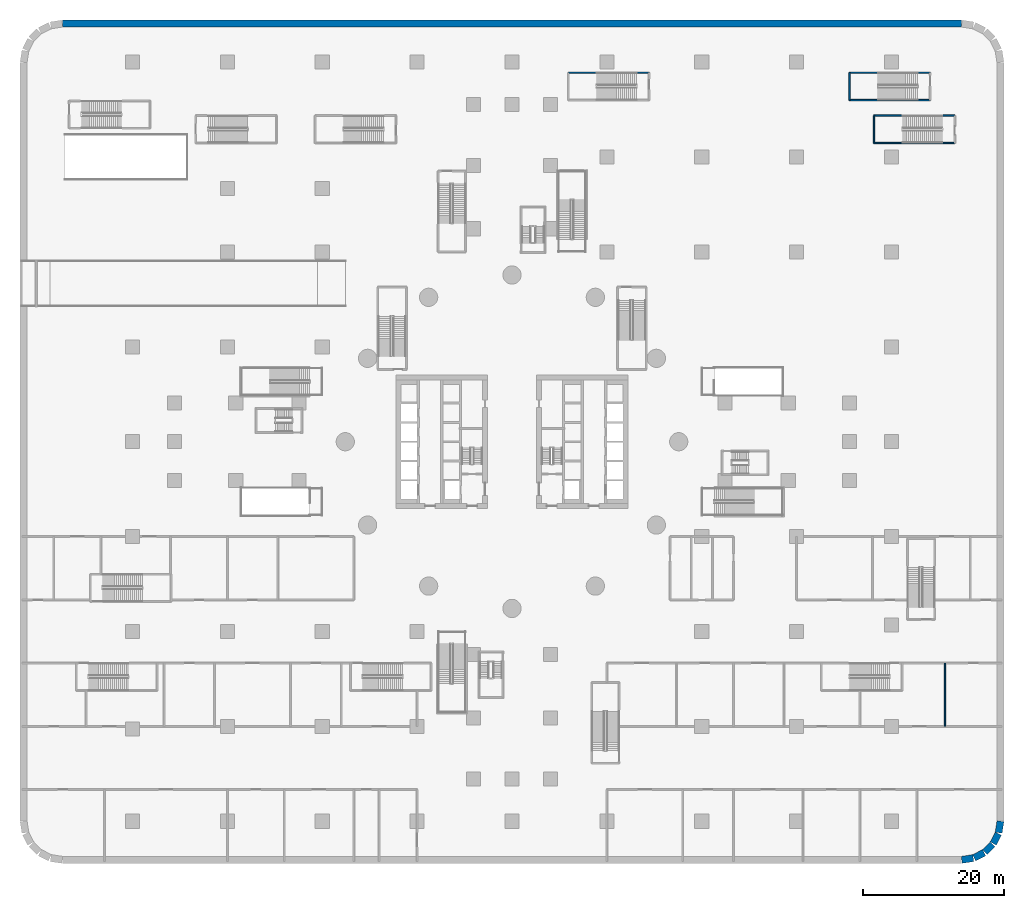
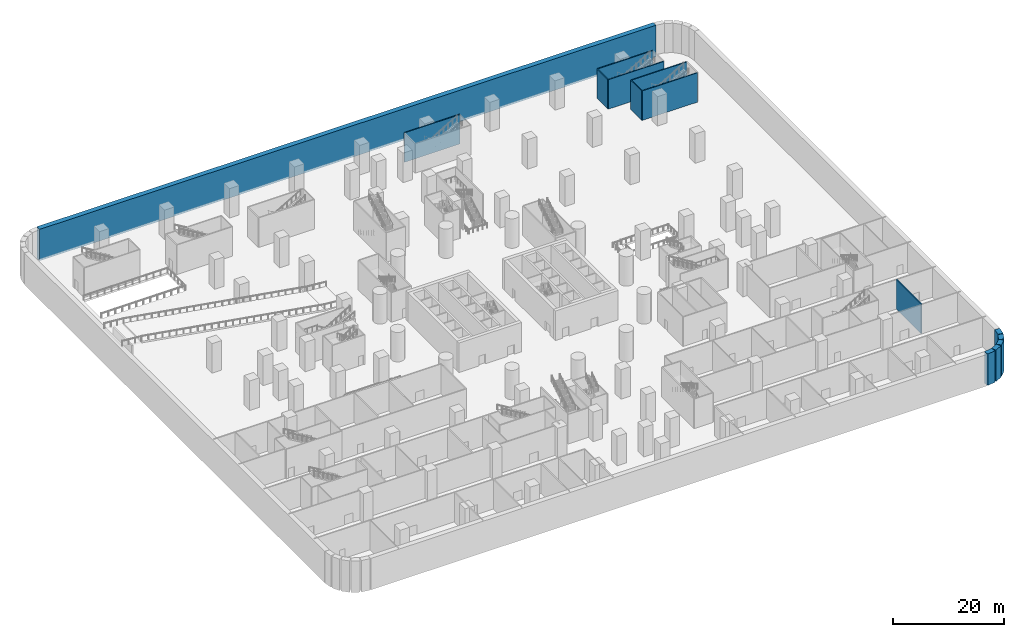
# One storey, part 12 of 37: 14 walls.
"""IFC4 building model written with IfcOpenShell, lengths in metres."""

from ifc_helpers import new_model, si_unit, direction, frame, frame_2d, origin, place, context, subcontext, project, spatial, rectangle, extrude, material, layer, layer_set, type_object, element, save


model = new_model("IFC4")

# Units and contexts
model_context = context("Model", 3, precision=1e-05, world=origin(), true_north=direction((0.0, 1.0)))
body_context = subcontext(model_context, "Body", "Model", "MODEL_VIEW")
ifc_project = project(units=[si_unit("LENGTHUNIT", "METRE"), si_unit("AREAUNIT", "SQUARE_METRE"), si_unit("VOLUMEUNIT", "CUBIC_METRE"), si_unit("PLANEANGLEUNIT", "RADIAN"), si_unit("MASSUNIT", "GRAM", prefix="KILO")], contexts=[model_context])

# Site, building, storey
site_placement = place(None, origin())
site = spatial("IfcSite", under=ifc_project, at=site_placement, CompositionType="ELEMENT")
building_placement = place(site_placement, origin())
building = spatial("IfcBuilding", under=site, at=building_placement, Name="Tamarind Cross Interchange Tower", CompositionType="ELEMENT")
storey_placement = place(building_placement, frame((0.0, 0.0, -7.0)))
storey = spatial("IfcBuildingStorey", under=building, at=storey_placement, Name="B1", CompositionType="ELEMENT", Elevation=-7.0)

# Walls
ifc_material_1 = material(Name="Concrete C40", Category="concrete")
ifc_layer_1 = layer(ifc_material_1, 1.0)
ifc_layer_set_1 = layer_set([ifc_layer_1], Name="Concrete C40")
wall_type_1 = type_object("IfcWallType", Name="Basement wall 1000 Concrete C40", PredefinedType="SOLIDWALL", material=ifc_layer_set_1)
wall_1_placement = place(storey_placement, frame((-63.931396484375, 59.5, -0.449951171875), z_axis=(0.0, 0.0, 1.0), x_axis=(1.0, 0.0, 0.0)))
element("IfcWall", 1, at=wall_1_placement, inside=storey, type_object=wall_type_1, Name="Basement wall B1-13", PredefinedType="SOLIDWALL", context=body_context, shape_type="SweptSolid", body=[
    extrude(rectangle(XDim=127.86279296875, YDim=1.0, at=frame_2d((63.931396484375, 0.0))), origin(), (0.0, 0.0, 1.0), 6.89990234375),
])
wall_2_placement = place(storey_placement, frame((69.495361328125, -53.989501953125, -0.449951171875), z_axis=(0.0, 0.0, 1.0), x_axis=(-0.156430639922, -0.987688946427, 0.0)))
element("IfcWall", 2, at=wall_2_placement, inside=storey, type_object=wall_type_1, Name="Basement wall B1-20", PredefinedType="SOLIDWALL", context=body_context, shape_type="SweptSolid", body=[
    extrude(rectangle(XDim=1.66064453125, YDim=1.0, at=frame_2d((0.830322265625, 0.0))), origin(), (0.0, 0.0, 1.0), 6.89990234375),
])
for number, where, z_axis, x_axis, name in (
    (3, (69.193603515625, -55.759033203125, -0.449951171875), (0.0, 0.0, 1.0), (-0.453995177443, -0.891004140764, 0.0), "Basement wall B1-21"),
    (4, (68.395751953125, -57.27783203125, -0.449951171875), (0.0, 0.0, 1.0), (-0.707106781187, -0.707106781187, 0.0), "Basement wall B1-22"),
    (5, (67.167724609375, -58.475830078125, -0.449951171875), (0.0, 0.0, 1.0), (-0.891004140764, -0.453995177443, 0.0), "Basement wall B1-23"),
):
    element("IfcWall", number, at=place(storey_placement, frame(where, z_axis=z_axis, x_axis=x_axis)), inside=storey, type_object=wall_type_1, Name=name, PredefinedType="SOLIDWALL", context=body_context, shape_type="SweptSolid", body=[
        extrude(rectangle(XDim=1.5810546875, YDim=1.0, at=frame_2d((0.79052734375, 0.0))), origin(), (0.0, 0.0, 1.0), 6.89990234375),
    ])
wall_3_placement = place(storey_placement, frame((65.629638671875, -59.235595703125, -0.449951171875), z_axis=(0.0, 0.0, 1.0), x_axis=(-0.987688946427, -0.156430639922, 0.0)))
element("IfcWall", 6, at=wall_3_placement, inside=storey, type_object=wall_type_1, Name="Basement wall B1-24", PredefinedType="SOLIDWALL", context=body_context, shape_type="SweptSolid", body=[
    extrude(rectangle(XDim=1.66064453125, YDim=1.0, at=frame_2d((0.830322265625, 0.0))), origin(), (0.0, 0.0, 1.0), 6.89990234375),
])
ifc_material_2 = material(Name="Masonry partition, fire-rated", Category="masonry")
ifc_layer_2 = layer(ifc_material_2, 0.199951171875)
ifc_layer_set_2 = layer_set([ifc_layer_2], Name="Masonry partition, fire-rated")
wall_type_2 = type_object("IfcWallType", Name="Fire partition 200 EI 120", PredefinedType="PARTITIONING", material=ifc_layer_set_2)
wall_4_placement = place(storey_placement, frame((61.60009765625, -40.5, 0.0), z_axis=(0.0, 0.0, 1.0), x_axis=(0.0, 1.0, 0.0)))
element("IfcWall", 7, at=wall_4_placement, inside=storey, type_object=wall_type_2, Name="B1 partition 112", PredefinedType="PARTITIONING", context=body_context, shape_type="SweptSolid", body=[
    extrude(rectangle(XDim=9.0, YDim=0.199951171875, at=frame_2d((4.5, 0.0))), origin(), (0.0, 0.0, 1.0), 6.449951171875),
])
ifc_layer_3 = layer(ifc_material_1, 0.199951171875)
ifc_layer_set_3 = layer_set([ifc_layer_3], Name="Concrete C40")
wall_type_3 = type_object("IfcWallType", Name="Stair shaft wall 200 EI 180", PredefinedType="PARTITIONING", material=ifc_layer_set_3)
for number, where, z_axis, x_axis, name in (
    (8, (8.0, 52.5, 0.0), (0.0, 0.0, 1.0), (1.0, 0.0, 0.0), "B1 stair shaft wall 43"),
    (9, (48.0, 48.60009765625, 0.0), (0.0, 0.0, 1.0), (1.0, 0.0, 0.0), "B1 stair shaft wall 53"),
):
    element("IfcWall", number, at=place(storey_placement, frame(where, z_axis=z_axis, x_axis=x_axis)), inside=storey, type_object=wall_type_3, Name=name, PredefinedType="PARTITIONING", context=body_context, shape_type="SweptSolid", body=[
        extrude(rectangle(XDim=11.5, YDim=0.199951171875, at=frame_2d((5.75, 0.0))), origin(), (0.0, 0.0, 1.0), 6.449951171875),
    ])
wall_5_placement = place(storey_placement, frame((48.0, 48.60009765625, 0.0), z_axis=(0.0, 0.0, 1.0), x_axis=(0.0, 1.0, 0.0)))
element("IfcWall", 10, at=wall_5_placement, inside=storey, type_object=wall_type_3, Name="B1 stair shaft wall 54", PredefinedType="PARTITIONING", context=body_context, shape_type="SweptSolid", body=[
    extrude(rectangle(XDim=3.89990234375, YDim=0.199951171875, at=frame_2d((1.949951171875, 0.0))), origin(), (0.0, 0.0, 1.0), 6.449951171875),
])
for number, where, z_axis, x_axis, name in (
    (11, (48.0, 52.5, 0.0), (0.0, 0.0, 1.0), (1.0, 0.0, 0.0), "B1 stair shaft wall 55"),
    (12, (51.5, 42.5, 0.0), (0.0, 0.0, 1.0), (1.0, 0.0, 0.0), "B1 stair shaft wall 57"),
):
    element("IfcWall", number, at=place(storey_placement, frame(where, z_axis=z_axis, x_axis=x_axis)), inside=storey, type_object=wall_type_3, Name=name, PredefinedType="PARTITIONING", context=body_context, shape_type="SweptSolid", body=[
        extrude(rectangle(XDim=11.5, YDim=0.199951171875, at=frame_2d((5.75, 0.0))), origin(), (0.0, 0.0, 1.0), 6.449951171875),
    ])
wall_6_placement = place(storey_placement, frame((51.5, 42.5, 0.0), z_axis=(0.0, 0.0, 1.0), x_axis=(0.0, 1.0, 0.0)))
element("IfcWall", 13, at=wall_6_placement, inside=storey, type_object=wall_type_3, Name="B1 stair shaft wall 58", PredefinedType="PARTITIONING", context=body_context, shape_type="SweptSolid", body=[
    extrude(rectangle(XDim=3.89990234375, YDim=0.199951171875, at=frame_2d((1.949951171875, 0.0))), origin(), (0.0, 0.0, 1.0), 6.449951171875),
])
wall_7_placement = place(storey_placement, frame((51.5, 46.39990234375, 0.0), z_axis=(0.0, 0.0, 1.0), x_axis=(1.0, 0.0, 0.0)))
element("IfcWall", 14, at=wall_7_placement, inside=storey, type_object=wall_type_3, Name="B1 stair shaft wall 59", PredefinedType="PARTITIONING", context=body_context, shape_type="SweptSolid", body=[
    extrude(rectangle(XDim=11.5, YDim=0.199951171875, at=frame_2d((5.75, 0.0))), origin(), (0.0, 0.0, 1.0), 6.449951171875),
])

save(model, "model.ifc")
